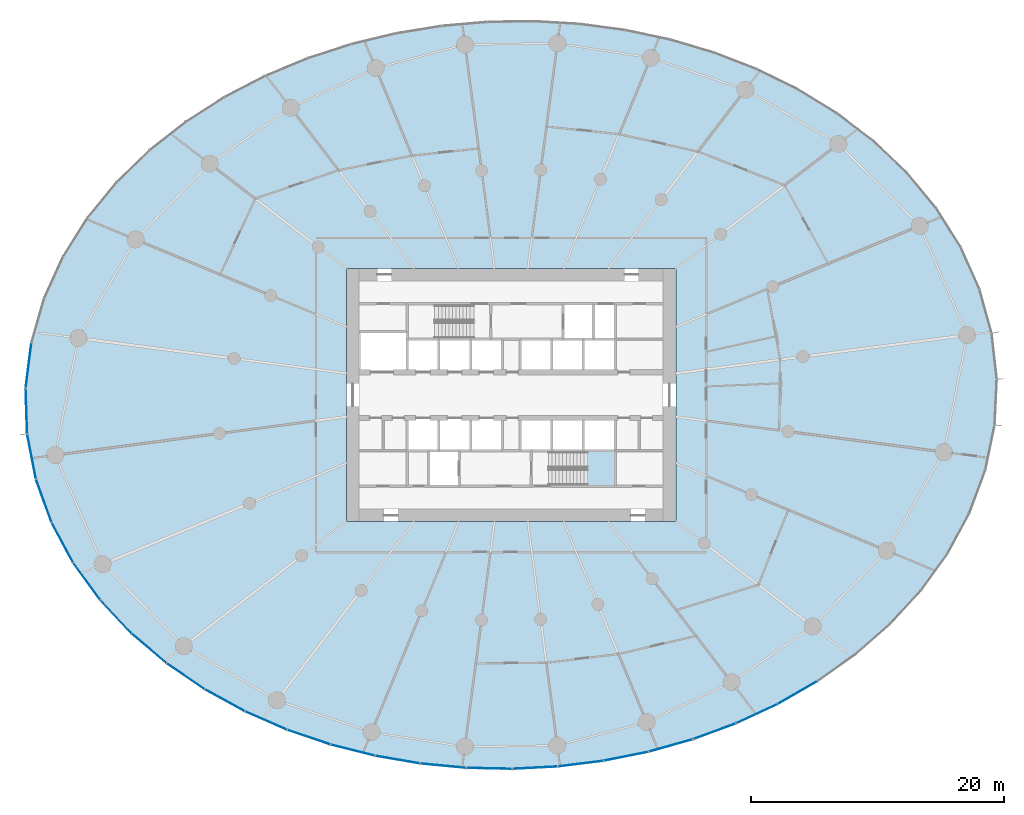
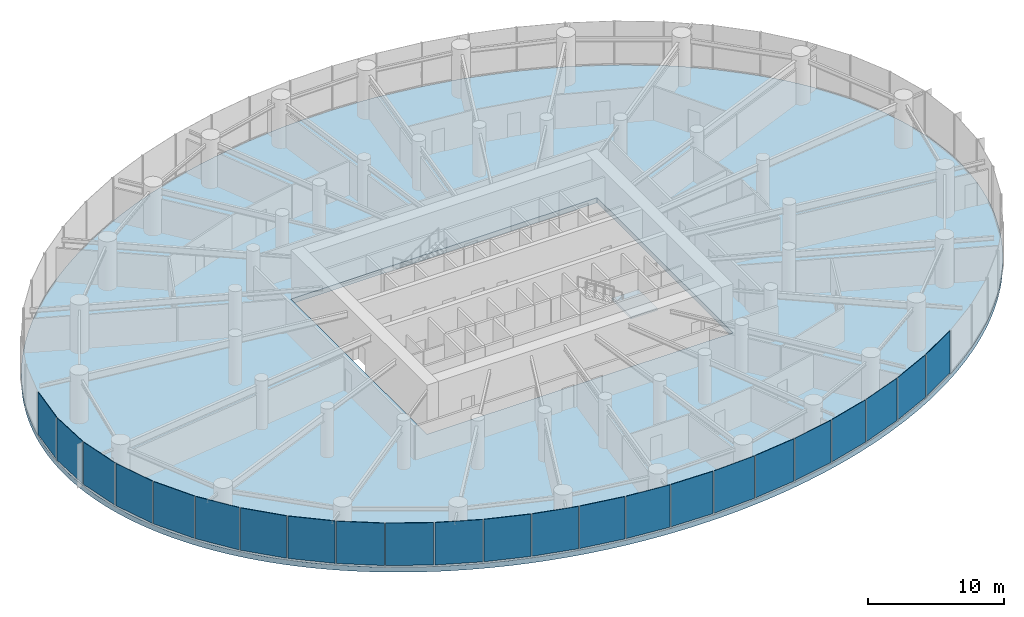
# One storey, part 10 of 19: 23 plates, 2 slabs, 6 elements without a shape of their own.
"""IFC4 building model written with IfcOpenShell, lengths in metres."""

from ifc_helpers import new_model, si_unit, direction, frame, origin, origin_2d, place, context, subcontext, project, spatial, line, indexed_curve, rectangle, outline, extrude, source, transform, mapped, material, layer, layer_set, type_object, element, aggregate, save


model = new_model("IFC4")

# Units and contexts
model_context = context("Model", 3, precision=1e-05, world=origin(), true_north=direction((0.0, 1.0)))
body_context = subcontext(model_context, "Body", "Model", "MODEL_VIEW")
ifc_project = project(units=[si_unit("LENGTHUNIT", "METRE"), si_unit("AREAUNIT", "SQUARE_METRE"), si_unit("VOLUMEUNIT", "CUBIC_METRE"), si_unit("PLANEANGLEUNIT", "RADIAN"), si_unit("MASSUNIT", "GRAM", prefix="KILO")], contexts=[model_context])

# Site, building, storey
site_placement = place(None, origin())
site = spatial("IfcSite", under=ifc_project, at=site_placement, CompositionType="ELEMENT")
building_placement = place(site_placement, origin())
building = spatial("IfcBuilding", under=site, at=building_placement, Name="Spindrift Exchange Tower", CompositionType="ELEMENT")
storey_placement = place(building_placement, frame((0.0, 0.0, 27.0)))
storey = spatial("IfcBuildingStorey", under=building, at=storey_placement, Name="L06", CompositionType="ELEMENT", Elevation=27.0)

# Slab
ifc_material_1 = material(Name="Concrete 50 MPa", Category="concrete")
ifc_layer_1 = layer(ifc_material_1, 0.449951171875)
ifc_layer_set_1 = layer_set([ifc_layer_1], Name="RC Floor Slab 450 Concrete 50 MPa")
slab_type_1 = type_object("IfcSlabType", Name="RC Floor Slab 450 Concrete 50 MPa", PredefinedType="FLOOR", material=ifc_layer_set_1)
slab_1_placement = place(storey_placement, frame((0.0, 0.0, -0.449951171875)))
element("IfcSlab", 1, at=slab_1_placement, inside=storey, type_object=slab_type_1, Name="Floor slab L06", PredefinedType="FLOOR", context=body_context, shape_type="SweptSolid", body=[
    extrude(outline(indexed_curve([(90.3291015625, 49.26806640625), (90.301513671875, 49.862060546875), (90.258544921875, 50.455078125), (90.2001953125, 51.046875), (90.126220703125, 51.63671875), (90.037109375, 52.224609375), (89.9326171875, 52.81005859375), (89.81298828125, 53.392578125), (89.678466796875, 53.9716796875), (89.529296875, 54.54736328125), (89.365478515625, 55.118896484375), (89.1875, 55.686279296875), (88.995361328125, 56.2490234375), (88.789306640625, 56.806884765625), (88.56982421875, 57.359375), (88.3369140625, 57.906494140625), (88.0908203125, 58.44775390625), (87.83203125, 58.983154296875), (87.560791015625, 59.51220703125), (87.277099609375, 60.034912109375), (86.981689453125, 60.55078125), (86.6748046875, 61.06005859375), (86.3564453125, 61.562255859375), (86.027099609375, 62.0576171875), (85.687255859375, 62.54541015625), (85.3369140625, 63.025634765625), (84.976318359375, 63.49853515625), (84.606201171875, 63.9638671875), (84.226318359375, 64.42138671875), (83.83740234375, 64.871337890625), (83.439697265625, 65.313232421875), (83.033203125, 65.747314453125), (82.618408203125, 66.17333984375), (82.195556640625, 66.59130859375), (81.764892578125, 67.001220703125), (81.32666015625, 67.4033203125), (80.881103515625, 67.797119140625), (80.4287109375, 68.1826171875), (79.96923828125, 68.560302734375), (79.50341796875, 68.9296875), (79.031005859375, 69.291015625), (78.552734375, 69.64404296875), (78.068359375, 69.9892578125), (77.0830078125, 70.655029296875), (76.58251953125, 70.975830078125), (75.566162109375, 71.59326171875), (75.05078125, 71.889892578125), (74.0068359375, 72.45947265625), (72.946044921875, 72.9970703125), (72.409912109375, 73.254150390625), (71.8701171875, 73.50341796875), (70.77978515625, 73.978271484375), (70.229736328125, 74.2041015625), (69.120361328125, 74.6328125), (67.999755859375, 75.03076171875), (67.435546875, 75.21826171875), (66.2998046875, 75.57080078125), (65.728515625, 75.735595703125), (65.155029296875, 75.89306640625), (64.00244140625, 76.185546875), (63.42333984375, 76.32080078125), (62.26025390625, 76.569091796875), (61.676513671875, 76.68212890625), (60.5048828125, 76.88623046875), (59.32861328125, 77.0615234375), (58.739013671875, 77.13818359375), (58.1484375, 77.207763671875), (56.965087890625, 77.3251953125), (55.779296875, 77.413818359375), (55.185546875, 77.447509765625), (54.591552734375, 77.47412109375), (53.402587890625, 77.505859375), (52.21337890625, 77.509033203125), (51.0244140625, 77.48388671875), (49.83642578125, 77.430419921875), (49.2431640625, 77.39306640625), (48.0576171875, 77.297119140625), (46.875, 77.172607421875), (45.69580078125, 77.02001953125), (45.107421875, 76.932861328125), (43.934326171875, 76.737548828125), (43.349609375, 76.629150390625), (42.1845703125, 76.390869140625), (41.6044921875, 76.260986328125), (40.448974609375, 75.979736328125), (39.873779296875, 75.828369140625), (39.30078125, 75.669677734375), (38.160888671875, 75.330810546875), (37.030029296875, 74.962646484375), (36.468505859375, 74.767578125), (35.352783203125, 74.35546875), (34.79931640625, 74.138427734375), (33.700927734375, 73.68212890625), (33.15673828125, 73.44287109375), (32.078125, 72.94189453125), (31.544189453125, 72.68017578125), (30.48779296875, 72.13427734375), (29.965576171875, 71.849853515625), (29.447509765625, 71.55810546875), (28.4248046875, 70.951416015625), (27.420654296875, 70.314208984375), (26.926025390625, 69.98388671875), (25.95263671875, 69.30078125), (25.474365234375, 68.947509765625), (24.53515625, 68.218017578125), (24.07470703125, 67.841796875), (23.620849609375, 67.457763671875), (23.173583984375, 67.06591796875), (22.73291015625, 66.66650390625), (22.299560546875, 66.259521484375), (21.87353515625, 65.8447265625), (21.455078125, 65.42236328125), (21.044189453125, 64.992431640625), (20.6416015625, 64.5546875), (20.247314453125, 64.10986328125), (19.861572265625, 63.6572265625), (19.484619140625, 63.197265625), (19.116943359375, 62.72998046875), (18.758544921875, 62.255615234375), (18.409912109375, 61.77392578125), (18.0712890625, 61.28515625), (17.742919921875, 60.789306640625), (17.425048828125, 60.286865234375), (17.1181640625, 59.777587890625), (16.822265625, 59.261962890625), (16.537841796875, 58.73974609375), (16.26513671875, 58.211181640625), (16.00439453125, 57.6767578125), (15.756103515625, 57.13671875), (15.5205078125, 56.5908203125), (15.297607421875, 56.039306640625), (15.087890625, 55.48291015625), (14.8916015625, 54.921630859375), (14.708984375, 54.35595703125), (14.540283203125, 53.78564453125), (14.3857421875, 53.21142578125), (14.24560546875, 52.6337890625), (14.1201171875, 52.052490234375), (14.00927734375, 51.46826171875), (13.913330078125, 50.88134765625), (13.83251953125, 50.29248046875), (13.76708984375, 49.701416015625), (13.716796875, 49.10888671875), (13.681884765625, 48.515380859375), (13.662841796875, 47.9208984375), (13.6591796875, 47.326416015625), (13.6708984375, 46.73193359375), (13.698486328125, 46.137939453125), (13.741455078125, 45.544921875), (13.7998046875, 44.953125), (13.873779296875, 44.36328125), (13.962890625, 43.775390625), (14.0673828125, 43.18994140625), (14.18701171875, 42.607421875), (14.321533203125, 42.0283203125), (14.470703125, 41.45263671875), (14.634521484375, 40.881103515625), (14.8125, 40.313720703125), (15.004638671875, 39.7509765625), (15.210693359375, 39.193115234375), (15.43017578125, 38.640625), (15.6630859375, 38.093505859375), (15.9091796875, 37.55224609375), (16.16796875, 37.016845703125), (16.439208984375, 36.48779296875), (16.722900390625, 35.965087890625), (17.018310546875, 35.44921875), (17.3251953125, 34.93994140625), (17.6435546875, 34.437744140625), (17.972900390625, 33.9423828125), (18.312744140625, 33.45458984375), (18.6630859375, 32.974365234375), (19.023681640625, 32.50146484375), (19.393798828125, 32.0361328125), (19.773681640625, 31.57861328125), (20.16259765625, 31.128662109375), (20.560302734375, 30.686767578125), (20.966796875, 30.252685546875), (21.381591796875, 29.82666015625), (21.804443359375, 29.40869140625), (22.235107421875, 28.998779296875), (22.67333984375, 28.5966796875), (23.118896484375, 28.202880859375), (23.5712890625, 27.8173828125), (24.03076171875, 27.439697265625), (24.49658203125, 27.0703125), (24.968994140625, 26.708984375), (25.447265625, 26.35595703125), (25.931640625, 26.0107421875), (26.9169921875, 25.344970703125), (27.41748046875, 25.024169921875), (28.433837890625, 24.40673828125), (28.94921875, 24.110107421875), (29.9931640625, 23.54052734375), (31.053955078125, 23.0029296875), (31.590087890625, 22.745849609375), (32.1298828125, 22.49658203125), (33.22021484375, 22.021728515625), (33.770263671875, 21.7958984375), (34.879638671875, 21.3671875), (36.000244140625, 20.96923828125), (36.564453125, 20.78173828125), (37.7001953125, 20.42919921875), (38.271484375, 20.264404296875), (38.844970703125, 20.10693359375), (39.99755859375, 19.814453125), (40.57666015625, 19.67919921875), (41.73974609375, 19.430908203125), (42.323486328125, 19.31787109375), (43.4951171875, 19.11376953125), (44.67138671875, 18.9384765625), (45.260986328125, 18.86181640625), (45.8515625, 18.792236328125), (47.034912109375, 18.6748046875), (48.220703125, 18.586181640625), (48.814453125, 18.552490234375), (49.408447265625, 18.52587890625), (50.597412109375, 18.494140625), (51.78662109375, 18.490966796875), (52.9755859375, 18.51611328125), (54.16357421875, 18.569580078125), (54.7568359375, 18.60693359375), (55.9423828125, 18.702880859375), (57.125, 18.827392578125), (58.30419921875, 18.97998046875), (58.892578125, 19.067138671875), (60.065673828125, 19.262451171875), (60.650390625, 19.370849609375), (61.8154296875, 19.609130859375), (62.3955078125, 19.739013671875), (63.551025390625, 20.020263671875), (64.126220703125, 20.171630859375), (64.69921875, 20.330322265625), (65.839111328125, 20.669189453125), (66.969970703125, 21.037353515625), (67.531494140625, 21.232421875), (68.0908203125, 21.434814453125), (69.20068359375, 21.861572265625), (70.299072265625, 22.31787109375), (70.84326171875, 22.55712890625), (71.921875, 23.05810546875), (72.455810546875, 23.31982421875), (73.51220703125, 23.86572265625), (74.034423828125, 24.150146484375), (74.552490234375, 24.44189453125), (75.5751953125, 25.048583984375), (76.579345703125, 25.685791015625), (77.073974609375, 26.01611328125), (78.04736328125, 26.69921875), (78.525634765625, 27.052490234375), (79.46484375, 27.781982421875), (79.92529296875, 28.158203125), (80.379150390625, 28.542236328125), (80.826416015625, 28.93408203125), (81.26708984375, 29.33349609375), (81.700439453125, 29.740478515625), (82.12646484375, 30.1552734375), (82.544921875, 30.57763671875), (82.955810546875, 31.007568359375), (83.3583984375, 31.4453125), (83.752685546875, 31.89013671875), (84.138427734375, 32.3427734375), (84.515380859375, 32.802734375), (84.883056640625, 33.27001953125), (85.241455078125, 33.744384765625), (85.590087890625, 34.22607421875), (85.9287109375, 34.71484375), (86.257080078125, 35.210693359375), (86.574951171875, 35.713134765625), (86.8818359375, 36.222412109375), (87.177734375, 36.738037109375), (87.462158203125, 37.26025390625), (87.73486328125, 37.788818359375), (87.99560546875, 38.3232421875), (88.243896484375, 38.86328125), (88.4794921875, 39.4091796875), (88.702392578125, 39.960693359375), (88.912109375, 40.51708984375), (89.1083984375, 41.078369140625), (89.291015625, 41.64404296875), (89.459716796875, 42.21435546875), (89.6142578125, 42.78857421875), (89.75439453125, 43.3662109375), (89.8798828125, 43.947509765625), (89.99072265625, 44.53173828125), (90.086669921875, 45.11865234375), (90.16748046875, 45.70751953125), (90.23291015625, 46.298583984375), (90.283203125, 46.89111328125), (90.318115234375, 47.484619140625), (90.337158203125, 48.0791015625), (90.3408203125, 48.673583984375)], segments=[line(1, 2, 3, 4, 5, 6, 7, 8, 9, 10, 11, 12, 13, 14, 15, 16, 17, 18, 19, 20, 21, 22, 23, 24, 25, 26, 27, 28, 29, 30, 31, 32, 33, 34, 35, 36, 37, 38, 39, 40, 41, 42, 43, 44, 45, 46, 47, 48, 49, 50, 51, 52, 53, 54, 55, 56, 57, 58, 59, 60, 61, 62, 63, 64, 65, 66, 67, 68, 69, 70, 71, 72, 73, 74, 75, 76, 77, 78, 79, 80, 81, 82, 83, 84, 85, 86, 87, 88, 89, 90, 91, 92, 93, 94, 95, 96, 97, 98, 99, 100, 101, 102, 103, 104, 105, 106, 107, 108, 109, 110, 111, 112, 113, 114, 115, 116, 117, 118, 119, 120, 121, 122, 123, 124, 125, 126, 127, 128, 129, 130, 131, 132, 133, 134, 135, 136, 137, 138, 139, 140, 141, 142, 143, 144, 145, 146, 147, 148, 149, 150, 151, 152, 153, 154, 155, 156, 157, 158, 159, 160, 161, 162, 163, 164, 165, 166, 167, 168, 169, 170, 171, 172, 173, 174, 175, 176, 177, 178, 179, 180, 181, 182, 183, 184, 185, 186, 187, 188, 189, 190, 191, 192, 193, 194, 195, 196, 197, 198, 199, 200, 201, 202, 203, 204, 205, 206, 207, 208, 209, 210, 211, 212, 213, 214, 215, 216, 217, 218, 219, 220, 221, 222, 223, 224, 225, 226, 227, 228, 229, 230, 231, 232, 233, 234, 235, 236, 237, 238, 239, 240, 241, 242, 243, 244, 245, 246, 247, 248, 249, 250, 251, 252, 253, 254, 255, 256, 257, 258, 259, 260, 261, 262, 263, 264, 265, 266, 267, 268, 269, 270, 271, 272, 273, 274, 275, 276, 277, 278, 279, 280, 281, 282, 283, 284, 285, 286, 287, 288, 289, 290, 291, 292, 1)], self_intersect=False), holes=[indexed_curve([(39.0, 38.0), (65.0, 38.0), (65.0, 58.0), (39.0, 58.0)], segments=[line(1, 2, 3, 4, 1)], self_intersect=False)]), origin(), (0.0, 0.0, 1.0), 0.449951171875),
])

# Stair, slab
stair_type = type_object("IfcStairType", Name="ST-1250-R183", PredefinedType="HALF_TURN_STAIR", material=ifc_material_1)
stair_placement = place(storey_placement, origin())
stair = element("IfcStair", 2, at=stair_placement, inside=storey, type_object=stair_type, Name="L06 Exit stair ST2", PredefinedType="HALF_TURN_STAIR")
ifc_layer_2 = layer(ifc_material_1, 0.199951171875)
ifc_layer_set_2 = layer_set([ifc_layer_2], Name="SL-LANDING")
slab_type_2 = type_object("IfcSlabType", Name="SL-LANDING", PredefinedType="LANDING", material=ifc_layer_set_2)
slab_2_placement = place(storey_placement, frame((0.0, 0.0, 2.0)))
slab_2 = element("IfcSlab", 3, at=slab_2_placement, type_object=slab_type_2, Name="ST2 landing 1", PredefinedType="LANDING", context=body_context, shape_type="SweptSolid", body=[
    extrude(outline(indexed_curve([(57.949951171875, 43.60009765625), (60.199951171875, 43.60009765625), (60.199951171875, 40.800048828125), (57.949951171875, 40.800048828125)], segments=[line(1, 2, 3, 4, 1)], self_intersect=False)), origin(), (0.0, 0.0, 1.0), 0.199951171875),
])
aggregate(stair, [slab_2])

# Curtain wall, plate
ifc_material_2 = material(Name="Fritted laminated glass with bronze frame", Category="glass")
ifc_layer_3 = layer(ifc_material_2, 0.199951171875)
ifc_layer_set_3 = layer_set([ifc_layer_3], Name="ZONE 1 BRONZE FRITTED WALL")
curtain_wall_type = type_object("IfcCurtainWallType", Name="ZONE 1 BRONZE FRITTED WALL", PredefinedType="NOTDEFINED", material=ifc_layer_set_3)
curtain_wall_1_placement = place(storey_placement, origin())
curtain_wall_1 = element("IfcCurtainWall", 4, at=curtain_wall_1_placement, inside=storey, type_object=curtain_wall_type, Name="L06 Zone 1 Bronze Fritted Wall run 7", PredefinedType="NOTDEFINED")
ifc_material_3 = material(Name="Bronze fritted laminated glass, dense frit", Category="glass")
ifc_layer_4 = layer(ifc_material_3, 0.035888671875)
ifc_layer_set_4 = layer_set([ifc_layer_4], Name="ZONE 1 BRONZE FRITTED WALL PANEL DENSE FRIT 300")
plate_type_1 = type_object("IfcPlateType", Name="ZONE 1 BRONZE FRITTED WALL PANEL DENSE FRIT 300", PredefinedType="CURTAIN_PANEL", material=ifc_layer_set_4)
shared_shape_1 = source(origin(), body_context, "Body", "SweptSolid", [
    extrude(rectangle(XDim=3.547119140625, YDim=0.035888671875, at=origin_2d()), origin(), (0.0, 0.0, 1.0), 3.800048828125),
])
plate_1_placement = place(storey_placement, frame((39.49755859375, 19.97412109375, 0.14990234375), z_axis=(0.0, 0.0, 1.0), x_axis=(0.969611673748, -0.244649140876, 0.0)))
plate_1 = element("IfcPlate", 5, at=plate_1_placement, type_object=plate_type_1, Name="L06 panel CW-1.41", PredefinedType="CURTAIN_PANEL", context=body_context, shape_type="MappedRepresentation", body=[
    mapped(shared_shape_1, transform((0.0, 0.0, 0.0), scale=1.0)),
])

curtain_wall_2_placement = place(storey_placement, origin())
curtain_wall_2 = element("IfcCurtainWall", 6, at=curtain_wall_2_placement, inside=storey, type_object=curtain_wall_type, Name="L06 Zone 1 Bronze Fritted Wall run 9", PredefinedType="NOTDEFINED")
plate_2_placement = place(storey_placement, frame((68.040283203125, 21.455078125, 0.14990234375), z_axis=(0.0, 0.0, 1.0), x_axis=(0.93831813143, 0.345773168753, 0.0)))
plate_2 = element("IfcPlate", 7, at=plate_2_placement, type_object=plate_type_1, Name="L06 panel CW-1.49", PredefinedType="CURTAIN_PANEL", context=body_context, shape_type="MappedRepresentation", body=[
    mapped(shared_shape_1, transform((0.0, 0.0, 0.0), scale=1.0)),
])

# Plate
shared_shape_2 = source(origin(), body_context, "Body", "SweptSolid", [
    extrude(rectangle(XDim=3.54736328125, YDim=0.035888671875, at=origin_2d()), origin(), (0.0, 0.0, 1.0), 3.800048828125),
])
plate_3_placement = place(storey_placement, frame((43.04345703125, 19.223876953125, 0.14990234375), z_axis=(0.0, 0.0, 1.0), x_axis=(0.985593572318, -0.169131044474, 0.0)))
plate_3 = element("IfcPlate", 8, at=plate_3_placement, type_object=plate_type_1, Name="L06 panel CW-1.42", PredefinedType="CURTAIN_PANEL", context=body_context, shape_type="MappedRepresentation", body=[
    mapped(shared_shape_2, transform((0.0, 0.0, 0.0), scale=1.0)),
])

# Curtain wall, plates
curtain_wall_3_placement = place(storey_placement, origin())
curtain_wall_3 = element("IfcCurtainWall", 9, at=curtain_wall_3_placement, inside=storey, type_object=curtain_wall_type, Name="L06 Zone 1 Bronze Fritted Wall run 8", PredefinedType="NOTDEFINED")
plate_4_placement = place(storey_placement, frame((46.63671875, 18.744873046875, 0.14990234375), z_axis=(0.0, 0.0, 1.0), x_axis=(0.995485260497, -0.094916258527, 0.0)))
plate_4 = element("IfcPlate", 10, at=plate_4_placement, type_object=plate_type_1, Name="L06 panel CW-1.43", PredefinedType="CURTAIN_PANEL", context=body_context, shape_type="MappedRepresentation", body=[
    mapped(shared_shape_2, transform((0.0, 0.0, 0.0), scale=1.0)),
])
plate_5_placement = place(storey_placement, frame((50.25537109375, 18.533447265625, 0.14990234375), z_axis=(0.0, 0.0, 1.0), x_axis=(0.999766988663, -0.021586300744, 0.0)))
plate_5 = element("IfcPlate", 11, at=plate_5_placement, type_object=plate_type_1, Name="L06 panel CW-1.44", PredefinedType="CURTAIN_PANEL", context=body_context, shape_type="MappedRepresentation", body=[
    mapped(shared_shape_2, transform((0.0, 0.0, 0.0), scale=1.0)),
])
plate_6_placement = place(storey_placement, frame((64.5927734375, 20.33642578125, 0.14990234375), z_axis=(0.0, 0.0, 1.0), x_axis=(0.962603377509, 0.270914631588, 0.0)))
plate_6 = element("IfcPlate", 12, at=plate_6_placement, type_object=plate_type_1, Name="L06 panel CW-1.48", PredefinedType="CURTAIN_PANEL", context=body_context, shape_type="MappedRepresentation", body=[
    mapped(shared_shape_2, transform((0.0, 0.0, 0.0), scale=1.0)),
])
ifc_layer_5 = layer(ifc_material_3, 0.035888671875)
ifc_layer_set_5 = layer_set([ifc_layer_5], Name="ZONE 1 BRONZE FRITTED WALL PANEL DENSE FRIT 180")
plate_type_2 = type_object("IfcPlateType", Name="ZONE 1 BRONZE FRITTED WALL PANEL DENSE FRIT 180", PredefinedType="CURTAIN_PANEL", material=ifc_layer_set_5)
shared_shape_3 = source(origin(), body_context, "Body", "SweptSolid", [
    extrude(rectangle(XDim=3.54736328125, YDim=0.035888671875, at=origin_2d()), origin(), (0.0, 0.0, 1.0), 3.800048828125),
])
plate_7_placement = place(storey_placement, frame((53.8798828125, 18.58740234375, 0.14990234375), z_axis=(0.0, 0.0, 1.0), x_axis=(0.998685851384, 0.051250075556, 0.0)))
plate_7 = element("IfcPlate", 13, at=plate_7_placement, type_object=plate_type_2, Name="L06 panel CW-1.45", PredefinedType="CURTAIN_PANEL", context=body_context, shape_type="MappedRepresentation", body=[
    mapped(shared_shape_3, transform((0.0, 0.0, 0.0), scale=1.0)),
])
plate_8_placement = place(storey_placement, frame((61.06884765625, 19.48779296875, 0.14990234375), z_axis=(0.0, 0.0, 1.0), x_axis=(0.980380726364, 0.19711324505, 0.0)))
plate_8 = element("IfcPlate", 14, at=plate_8_placement, type_object=plate_type_2, Name="L06 panel CW-1.47", PredefinedType="CURTAIN_PANEL", context=body_context, shape_type="MappedRepresentation", body=[
    mapped(shared_shape_3, transform((0.0, 0.0, 0.0), scale=1.0)),
])

# Plate
ifc_layer_6 = layer(ifc_material_3, 0.035888671875)
ifc_layer_set_6 = layer_set([ifc_layer_6], Name="ZONE 1 BRONZE FRITTED WALL PANEL DENSE FRIT 420")
plate_type_3 = type_object("IfcPlateType", Name="ZONE 1 BRONZE FRITTED WALL PANEL DENSE FRIT 420", PredefinedType="CURTAIN_PANEL", material=ifc_layer_set_6)
shared_shape_4 = source(origin(), body_context, "Body", "SweptSolid", [
    extrude(rectangle(XDim=3.54736328125, YDim=0.035888671875, at=origin_2d()), origin(), (0.0, 0.0, 1.0), 3.800048828125),
])
plate_9_placement = place(storey_placement, frame((36.021728515625, 21.00146484375, 0.14990234375), z_axis=(0.0, 0.0, 1.0), x_axis=(0.946822922501, -0.321755114064, 0.0)))
plate_9 = element("IfcPlate", 15, at=plate_9_placement, type_object=plate_type_3, Name="L06 panel CW-1.40", PredefinedType="CURTAIN_PANEL", context=body_context, shape_type="MappedRepresentation", body=[
    mapped(shared_shape_4, transform((0.0, 0.0, 0.0), scale=1.0)),
])

plate_10_placement = place(storey_placement, frame((57.490966796875, 18.9052734375, 0.14990234375), z_axis=(0.0, 0.0, 1.0), x_axis=(0.992278778006, 0.124027524041, 0.0)))
plate_10 = element("IfcPlate", 16, at=plate_10_placement, type_object=plate_type_3, Name="L06 panel CW-1.46", PredefinedType="CURTAIN_PANEL", context=body_context, shape_type="MappedRepresentation", body=[
    mapped(shared_shape_4, transform((0.0, 0.0, 0.0), scale=1.0)),
])

aggregate(curtain_wall_3, [plate_4, plate_5, plate_7, plate_10, plate_8, plate_6])

shared_shape_5 = source(origin(), body_context, "Body", "SweptSolid", [
    extrude(rectangle(XDim=3.547119140625, YDim=0.035888671875, at=origin_2d()), origin(), (0.0, 0.0, 1.0), 3.800048828125),
])
plate_11_placement = place(storey_placement, frame((32.64306640625, 22.311767578125, 0.14990234375), z_axis=(0.0, 0.0, 1.0), x_axis=(0.916203344092, -0.400713653716, 0.0)))
plate_11 = element("IfcPlate", 17, at=plate_11_placement, type_object=plate_type_2, Name="L06 panel CW-1.39", PredefinedType="CURTAIN_PANEL", context=body_context, shape_type="MappedRepresentation", body=[
    mapped(shared_shape_5, transform((0.0, 0.0, 0.0), scale=1.0)),
])

plate_12_placement = place(storey_placement, frame((71.386474609375, 22.84716796875, 0.14990234375), z_axis=(0.0, 0.0, 1.0), x_axis=(0.906666674712, 0.421847769897, 0.0)))
plate_12 = element("IfcPlate", 18, at=plate_12_placement, type_object=plate_type_2, Name="L06 panel CW-1.50", PredefinedType="CURTAIN_PANEL", context=body_context, shape_type="MappedRepresentation", body=[
    mapped(shared_shape_5, transform((0.0, 0.0, 0.0), scale=1.0)),
])

plate_13_placement = place(storey_placement, frame((74.60205078125, 24.517578125, 0.14990234375), z_axis=(0.0, 0.0, 1.0), x_axis=(0.866452692699, 0.499259182503, 0.0)))
plate_13 = element("IfcPlate", 19, at=plate_13_placement, type_object=plate_type_2, Name="L06 panel CW-1.51", PredefinedType="CURTAIN_PANEL", context=body_context, shape_type="MappedRepresentation", body=[
    mapped(shared_shape_5, transform((0.0, 0.0, 0.0), scale=1.0)),
])

aggregate(curtain_wall_2, [plate_2, plate_12, plate_13])

shared_shape_6 = source(origin(), body_context, "Body", "SweptSolid", [
    extrude(rectangle(XDim=3.546630859375, YDim=0.035888671875, at=origin_2d()), origin(), (0.0, 0.0, 1.0), 3.800048828125),
])
plate_14_placement = place(storey_placement, frame((26.3056640625, 25.807861328125, 0.14990234375), z_axis=(0.0, 0.0, 1.0), x_axis=(0.825745042038, -0.564043549338, 0.0)))
plate_14 = element("IfcPlate", 20, at=plate_14_placement, type_object=plate_type_2, Name="L06 panel CW-1.37", PredefinedType="CURTAIN_PANEL", context=body_context, shape_type="MappedRepresentation", body=[
    mapped(shared_shape_6, transform((0.0, 0.0, 0.0), scale=1.0)),
])

# Curtain wall, plates
curtain_wall_4_placement = place(storey_placement, origin())
curtain_wall_4 = element("IfcCurtainWall", 21, at=curtain_wall_4_placement, inside=storey, type_object=curtain_wall_type, Name="L06 Zone 1 Bronze Fritted Wall run 5", PredefinedType="NOTDEFINED")
shared_shape_7 = source(origin(), body_context, "Body", "SweptSolid", [
    extrude(rectangle(XDim=3.54443359375, YDim=0.035888671875, at=origin_2d()), origin(), (0.0, 0.0, 1.0), 3.800048828125),
])
plate_15_placement = place(storey_placement, frame((13.910888671875, 50.343505859375, 0.14990234375), z_axis=(0.0, 0.0, 1.0), x_axis=(-0.125480415363, -0.992096096838, 0.0)))
plate_15 = element("IfcPlate", 22, at=plate_15_placement, type_object=plate_type_2, Name="L06 panel CW-1.29", PredefinedType="CURTAIN_PANEL", context=body_context, shape_type="MappedRepresentation", body=[
    mapped(shared_shape_7, transform((0.0, 0.0, 0.0), scale=1.0)),
])
shared_shape_8 = source(origin(), body_context, "Body", "SweptSolid", [
    extrude(rectangle(XDim=3.54443359375, YDim=0.035888671875, at=origin_2d()), origin(), (0.0, 0.0, 1.0), 3.800048828125),
])
plate_16_placement = place(storey_placement, frame((13.743408203125, 46.734375, 0.14990234375), z_axis=(0.0, 0.0, 1.0), x_axis=(0.033081914772, -0.999452643658, 0.0)))
plate_16 = element("IfcPlate", 23, at=plate_16_placement, type_object=plate_type_3, Name="L06 panel CW-1.30", PredefinedType="CURTAIN_PANEL", context=body_context, shape_type="MappedRepresentation", body=[
    mapped(shared_shape_8, transform((0.0, 0.0, 0.0), scale=1.0)),
])
aggregate(curtain_wall_4, [plate_15, plate_16])

curtain_wall_5_placement = place(storey_placement, origin())
curtain_wall_5 = element("IfcCurtainWall", 24, at=curtain_wall_5_placement, inside=storey, type_object=curtain_wall_type, Name="L06 Zone 1 Bronze Fritted Wall run 6", PredefinedType="NOTDEFINED")
shared_shape_9 = source(origin(), body_context, "Body", "SweptSolid", [
    extrude(rectangle(XDim=3.54443359375, YDim=0.035888671875, at=origin_2d()), origin(), (0.0, 0.0, 1.0), 3.800048828125),
])
plate_17_placement = place(storey_placement, frame((14.14892578125, 43.14404296875, 0.14990234375), z_axis=(0.0, 0.0, 1.0), x_axis=(0.190759310516, -0.981636839901, 0.0)))
plate_17 = element("IfcPlate", 25, at=plate_17_placement, type_object=plate_type_1, Name="L06 panel CW-1.31", PredefinedType="CURTAIN_PANEL", context=body_context, shape_type="MappedRepresentation", body=[
    mapped(shared_shape_9, transform((0.0, 0.0, 0.0), scale=1.0)),
])
shared_shape_10 = source(origin(), body_context, "Body", "SweptSolid", [
    extrude(rectangle(XDim=3.544921875, YDim=0.035888671875, at=origin_2d()), origin(), (0.0, 0.0, 1.0), 3.800048828125),
])
plate_18_placement = place(storey_placement, frame((15.109619140625, 39.660400390625, 0.14990234375), z_axis=(0.0, 0.0, 1.0), x_axis=(0.339274847029, -0.940687290322, 0.0)))
plate_18 = element("IfcPlate", 26, at=plate_18_placement, type_object=plate_type_3, Name="L06 panel CW-1.32", PredefinedType="CURTAIN_PANEL", context=body_context, shape_type="MappedRepresentation", body=[
    mapped(shared_shape_10, transform((0.0, 0.0, 0.0), scale=1.0)),
])
shared_shape_11 = source(origin(), body_context, "Body", "SweptSolid", [
    extrude(rectangle(XDim=3.545166015625, YDim=0.035888671875, at=origin_2d()), origin(), (0.0, 0.0, 1.0), 3.800048828125),
])
plate_19_placement = place(storey_placement, frame((16.580810546875, 36.35791015625, 0.14990234375), z_axis=(0.0, 0.0, 1.0), x_axis=(0.472444628079, -0.881360353885, 0.0)))
plate_19 = element("IfcPlate", 27, at=plate_19_placement, type_object=plate_type_1, Name="L06 panel CW-1.33", PredefinedType="CURTAIN_PANEL", context=body_context, shape_type="MappedRepresentation", body=[
    mapped(shared_shape_11, transform((0.0, 0.0, 0.0), scale=1.0)),
])
shared_shape_12 = source(origin(), body_context, "Body", "SweptSolid", [
    extrude(rectangle(XDim=3.545654296875, YDim=0.035888671875, at=origin_2d()), origin(), (0.0, 0.0, 1.0), 3.800048828125),
])
plate_20_placement = place(storey_placement, frame((18.501953125, 33.29296875, 0.14990234375), z_axis=(0.0, 0.0, 1.0), x_axis=(0.587278228577, -0.809385126031, 0.0)))
plate_20 = element("IfcPlate", 28, at=plate_20_placement, type_object=plate_type_1, Name="L06 panel CW-1.34", PredefinedType="CURTAIN_PANEL", context=body_context, shape_type="MappedRepresentation", body=[
    mapped(shared_shape_12, transform((0.0, 0.0, 0.0), scale=1.0)),
])
shared_shape_13 = source(origin(), body_context, "Body", "SweptSolid", [
    extrude(rectangle(XDim=3.5458984375, YDim=0.035888671875, at=origin_2d()), origin(), (0.0, 0.0, 1.0), 3.800048828125),
])
plate_21_placement = place(storey_placement, frame((20.805419921875, 30.502197265625, 0.14990234375), z_axis=(0.0, 0.0, 1.0), x_axis=(0.683361700503, -0.730079986225, 0.0)))
plate_21 = element("IfcPlate", 29, at=plate_21_placement, type_object=plate_type_3, Name="L06 panel CW-1.35", PredefinedType="CURTAIN_PANEL", context=body_context, shape_type="MappedRepresentation", body=[
    mapped(shared_shape_13, transform((0.0, 0.0, 0.0), scale=1.0)),
])
shared_shape_14 = source(origin(), body_context, "Body", "SweptSolid", [
    extrude(rectangle(XDim=3.54638671875, YDim=0.035888671875, at=origin_2d()), origin(), (0.0, 0.0, 1.0), 3.800048828125),
])
plate_22_placement = place(storey_placement, frame((23.42626953125, 28.00439453125, 0.14990234375), z_axis=(0.0, 0.0, 1.0), x_axis=(0.76213411856, -0.647419172814, 0.0)))
plate_22 = element("IfcPlate", 30, at=plate_22_placement, type_object=plate_type_2, Name="L06 panel CW-1.36", PredefinedType="CURTAIN_PANEL", context=body_context, shape_type="MappedRepresentation", body=[
    mapped(shared_shape_14, transform((0.0, 0.0, 0.0), scale=1.0)),
])
aggregate(curtain_wall_5, [plate_17, plate_18, plate_19, plate_20, plate_21, plate_22])

# Plate
shared_shape_15 = source(origin(), body_context, "Body", "SweptSolid", [
    extrude(rectangle(XDim=3.546875, YDim=0.035888671875, at=origin_2d()), origin(), (0.0, 0.0, 1.0), 3.800048828125),
])
plate_23_placement = place(storey_placement, frame((29.39208984375, 23.91162109375, 0.14990234375), z_axis=(0.0, 0.0, 1.0), x_axis=(0.876405878075, -0.481573189532, 0.0)))
plate_23 = element("IfcPlate", 31, at=plate_23_placement, type_object=plate_type_2, Name="L06 panel CW-1.38", PredefinedType="CURTAIN_PANEL", context=body_context, shape_type="MappedRepresentation", body=[
    mapped(shared_shape_15, transform((0.0, 0.0, 0.0), scale=1.0)),
])

aggregate(curtain_wall_1, [plate_14, plate_23, plate_11, plate_9, plate_1, plate_3])

save(model, "model.ifc")
